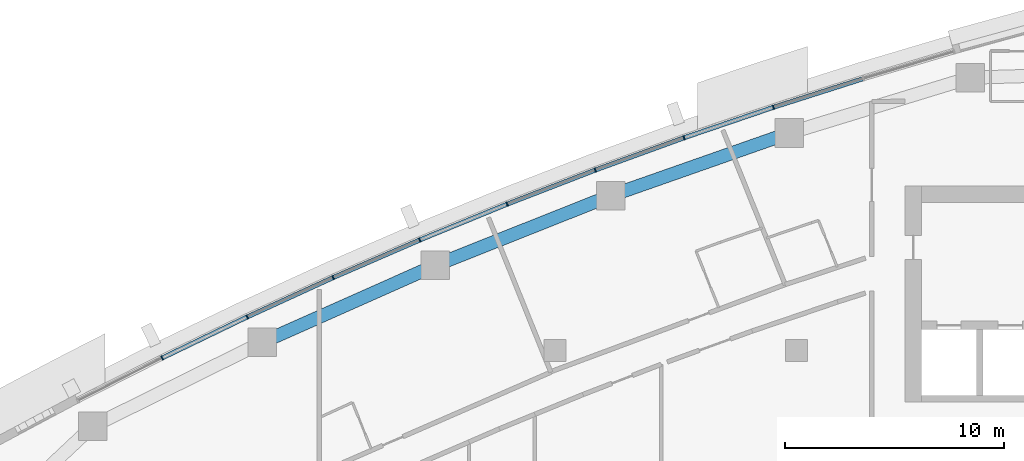
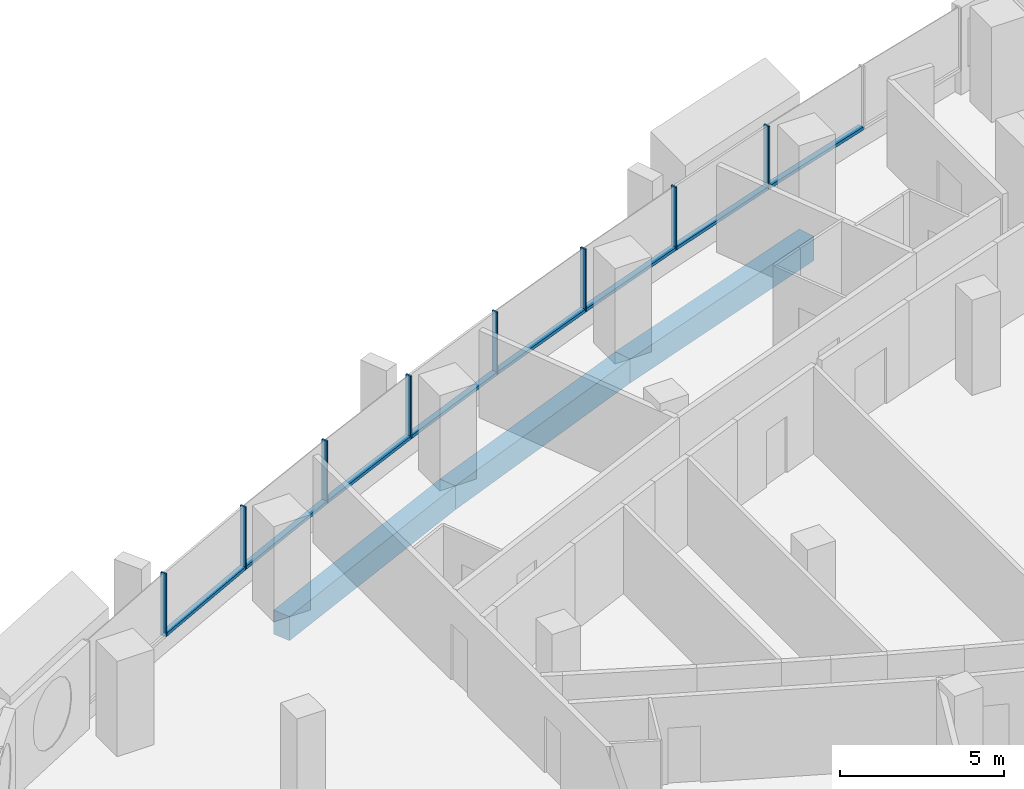
# One storey, part 6 of 16: 16 members, 3 beams, 5 elements without a shape of their own.
"""IFC4 building model written with IfcOpenShell, lengths in metres."""

from ifc_helpers import new_model, si_unit, direction, frame, origin, origin_2d, place, context, subcontext, project, spatial, rectangle, extrude, material, layer, layer_set, material_profile, profile_set, type_object, element, aggregate, save


model = new_model("IFC4")

# Units and contexts
model_context = context("Model", 3, precision=1e-05, world=origin(), true_north=direction((0.0, 1.0)))
body_context = subcontext(model_context, "Body", "Model", "MODEL_VIEW")
ifc_project = project(units=[si_unit("LENGTHUNIT", "METRE"), si_unit("AREAUNIT", "SQUARE_METRE"), si_unit("VOLUMEUNIT", "CUBIC_METRE"), si_unit("PLANEANGLEUNIT", "RADIAN"), si_unit("MASSUNIT", "GRAM", prefix="KILO")], contexts=[model_context])

# Site, building, storey
site_placement = place(None, origin())
site = spatial("IfcSite", under=ifc_project, at=site_placement, CompositionType="ELEMENT")
building_placement = place(site_placement, origin())
building = spatial("IfcBuilding", under=site, at=building_placement, Name="Ostrand Prow Hotel Tower", CompositionType="ELEMENT")
storey_placement = place(building_placement, frame((0.0, 0.0, 189.699951171875)))
storey = spatial("IfcBuildingStorey", under=building, at=storey_placement, Name="L47", CompositionType="ELEMENT", Elevation=189.699951171875)

# Beams
ifc_material_1 = material(Name="Concrete C60/75", Category="concrete")
ifc_material_profile_1 = material_profile(ifc_material_1, rectangle(XDim=0.60009765625, YDim=0.89990234375, at=origin_2d()), Name="RC 600x900")
ifc_profile_set_1 = profile_set([ifc_material_profile_1], Name="Concrete C60/75")
beam_type = type_object("IfcBeamType", Name="Edge beam 600x900 C60/75", PredefinedType="SPANDREL", material=ifc_profile_set_1)
for number, where, z_axis, x_axis, name in (
    (1, (44.6826171875, 18.91552734375, -0.75), (-0.943593618681, -0.33110584831, 0.0), (0.33110584831, -0.943593618681, 0.0), "Edge beam N2-N3"),
    (2, (36.547119140625, 16.060791015625, -0.75), (-0.929376173753, -0.36913402398, 0.0), (0.36913402398, -0.929376173753, 0.0), "Edge beam N3-N4"),
    (3, (28.5341796875, 12.878173828125, -0.75), (-0.91364332073, -0.406516767779, 0.0), (0.406516767779, -0.91364332073, 0.0), "Edge beam N4-N5"),
):
    element("IfcBeam", number, at=place(storey_placement, frame(where, z_axis=z_axis, x_axis=x_axis)), inside=storey, type_object=beam_type, Name=name, PredefinedType="SPANDREL", context=body_context, shape_type="SweptSolid", body=[
        extrude(rectangle(XDim=0.60009765625, YDim=0.89990234375, at=origin_2d()), origin(), (0.0, 0.0, 1.0), 8.621826171875),
    ])

# Curtain wall, member
ifc_material_2 = material(Name="Insulated glass in bronze anodised frame", Category="glass")
ifc_layer = layer(ifc_material_2, 0.199951171875)
ifc_layer_set = layer_set([ifc_layer], Name="Insulated glass in bronze anodised frame")
curtain_wall_type = type_object("IfcCurtainWallType", Name="Strip curtain wall, fritted glass over bronze spandrel", PredefinedType="NOTDEFINED", material=ifc_layer_set)
curtain_wall_1_placement = place(storey_placement, origin())
curtain_wall_1 = element("IfcCurtainWall", 4, at=curtain_wall_1_placement, inside=storey, type_object=curtain_wall_type, Name="CW1 run CWN1", PredefinedType="NOTDEFINED")
ifc_material_3 = material(Name="Bronze anodised aluminium", Category="aluminium")
ifc_material_profile_2 = material_profile(ifc_material_3, rectangle(XDim=0.199951171875, YDim=0.06005859375, at=origin_2d()), Name="Mullion 60x200 bronze anodised aluminium")
ifc_profile_set_2 = profile_set([ifc_material_profile_2], Name="Bronze anodised aluminium")
member_type_1 = type_object("IfcMemberType", Name="Mullion 60x200 bronze anodised aluminium", PredefinedType="MULLION", material=ifc_profile_set_2)
member_1_placement = place(storey_placement, frame((43.95361328125, 20.086669921875, 0.900146484375), z_axis=(0.0, 0.0, 1.0), x_axis=(0.303786970008, -0.952739983864, 0.0)))
member_1 = element("IfcMember", 5, at=member_1_placement, type_object=member_type_1, Name="CW1 mullion 3", PredefinedType="MULLION", context=body_context, shape_type="SweptSolid", body=[
    extrude(rectangle(XDim=0.199951171875, YDim=0.06005859375, at=origin_2d()), origin(), (0.0, 0.0, 1.0), 2.349853515625),
])

# Curtain wall, members
curtain_wall_2_placement = place(storey_placement, origin())
curtain_wall_2 = element("IfcCurtainWall", 6, at=curtain_wall_2_placement, inside=storey, type_object=curtain_wall_type, Name="CW1 run CWN2", PredefinedType="NOTDEFINED")
member_2_placement = place(storey_placement, frame((39.87939453125, 18.696533203125, 0.900146484375), z_axis=(0.0, 0.0, 1.0), x_axis=(0.341897134919, -0.939737383067, 0.0)))
member_2 = element("IfcMember", 7, at=member_2_placement, type_object=member_type_1, Name="CW1 mullion 2", PredefinedType="MULLION", context=body_context, shape_type="SweptSolid", body=[
    extrude(rectangle(XDim=0.199951171875, YDim=0.06005859375, at=origin_2d()), origin(), (0.0, 0.0, 1.0), 2.349853515625),
])
member_3_placement = place(storey_placement, frame((35.833740234375, 17.224609375, 0.900146484375), z_axis=(0.0, 0.0, 1.0), x_axis=(0.341897134919, -0.939737383067, 0.0)))
member_3 = element("IfcMember", 8, at=member_3_placement, type_object=member_type_1, Name="CW1 mullion 3", PredefinedType="MULLION", context=body_context, shape_type="SweptSolid", body=[
    extrude(rectangle(XDim=0.199951171875, YDim=0.06005859375, at=origin_2d()), origin(), (0.0, 0.0, 1.0), 2.349853515625),
])

curtain_wall_3_placement = place(storey_placement, origin())
curtain_wall_3 = element("IfcCurtainWall", 9, at=curtain_wall_3_placement, inside=storey, type_object=curtain_wall_type, Name="CW1 run CWN3", PredefinedType="NOTDEFINED")
member_4_placement = place(storey_placement, frame((31.818603515625, 15.671630859375, 0.900146484375), z_axis=(0.0, 0.0, 1.0), x_axis=(0.379452929936, -0.925211042932, 0.0)))
member_4 = element("IfcMember", 10, at=member_4_placement, type_object=member_type_1, Name="CW1 mullion 2", PredefinedType="MULLION", context=body_context, shape_type="SweptSolid", body=[
    extrude(rectangle(XDim=0.199951171875, YDim=0.06005859375, at=origin_2d()), origin(), (0.0, 0.0, 1.0), 2.349853515625),
])
member_5_placement = place(storey_placement, frame((27.83544921875, 14.0380859375, 0.900146484375), z_axis=(0.0, 0.0, 1.0), x_axis=(0.379452929936, -0.925211042932, 0.0)))
member_5 = element("IfcMember", 11, at=member_5_placement, type_object=member_type_1, Name="CW1 mullion 3", PredefinedType="MULLION", context=body_context, shape_type="SweptSolid", body=[
    extrude(rectangle(XDim=0.199951171875, YDim=0.06005859375, at=origin_2d()), origin(), (0.0, 0.0, 1.0), 2.349853515625),
])

curtain_wall_4_placement = place(storey_placement, origin())
curtain_wall_4 = element("IfcCurtainWall", 12, at=curtain_wall_4_placement, inside=storey, type_object=curtain_wall_type, Name="CW1 run CWN4", PredefinedType="NOTDEFINED")
member_6_placement = place(storey_placement, frame((23.885986328125, 12.32470703125, 0.900146484375), z_axis=(0.0, 0.0, 1.0), x_axis=(0.416393460127, -0.909184517226, 0.0)))
member_6 = element("IfcMember", 13, at=member_6_placement, type_object=member_type_1, Name="CW1 mullion 2", PredefinedType="MULLION", context=body_context, shape_type="SweptSolid", body=[
    extrude(rectangle(XDim=0.199951171875, YDim=0.06005859375, at=origin_2d()), origin(), (0.0, 0.0, 1.0), 2.349853515625),
])
member_7_placement = place(storey_placement, frame((19.971923828125, 10.531982421875, 0.900146484375), z_axis=(0.0, 0.0, 1.0), x_axis=(0.416393460127, -0.909184517226, 0.0)))
member_7 = element("IfcMember", 14, at=member_7_placement, type_object=member_type_1, Name="CW1 mullion 3", PredefinedType="MULLION", context=body_context, shape_type="SweptSolid", body=[
    extrude(rectangle(XDim=0.199951171875, YDim=0.06005859375, at=origin_2d()), origin(), (0.0, 0.0, 1.0), 2.349853515625),
])

# Curtain wall, member
curtain_wall_5_placement = place(storey_placement, origin())
curtain_wall_5 = element("IfcCurtainWall", 15, at=curtain_wall_5_placement, inside=storey, type_object=curtain_wall_type, Name="CW1 run CWN5", PredefinedType="NOTDEFINED")
member_8_placement = place(storey_placement, frame((16.0947265625, 8.660888671875, 0.900146484375), z_axis=(0.0, 0.0, 1.0), x_axis=(0.452658828186, -0.891683792196, 0.0)))
member_8 = element("IfcMember", 16, at=member_8_placement, type_object=member_type_1, Name="CW1 mullion 2", PredefinedType="MULLION", context=body_context, shape_type="SweptSolid", body=[
    extrude(rectangle(XDim=0.199951171875, YDim=0.06005859375, at=origin_2d()), origin(), (0.0, 0.0, 1.0), 2.349853515625),
])

# Member
ifc_material_4 = material(Name="Bronze anodised aluminium", Category="aluminium")
ifc_material_profile_3 = material_profile(ifc_material_4, rectangle(XDim=0.199951171875, YDim=0.1201171875, at=origin_2d()), Name="Transom 120x200 bronze anodised aluminium")
ifc_profile_set_3 = profile_set([ifc_material_profile_3], Name="Bronze anodised aluminium")
member_type_2 = type_object("IfcMemberType", Name="Transom 120x200 bronze anodised aluminium", PredefinedType="USERDEFINED", material=ifc_profile_set_3)
member_9_placement = place(storey_placement, frame((48.026611328125, 21.385498046875, 0.9599609375), z_axis=(-0.952737512605, -0.303794720289, 0.0), x_axis=(0.303794720289, -0.952737512605, 0.0)))
member_9 = element("IfcMember", 17, at=member_9_placement, type_object=member_type_2, Name="CW1 transom 2.1", ObjectType="TRANSOM", PredefinedType="USERDEFINED", context=body_context, shape_type="SweptSolid", body=[
    extrude(rectangle(XDim=0.199951171875, YDim=0.1201171875, at=origin_2d()), origin(), (0.0, 0.0, 1.0), 4.244873046875),
])

aggregate(curtain_wall_1, [member_1, member_9])

member_10_placement = place(storey_placement, frame((43.92529296875, 20.0771484375, 0.9599609375), z_axis=(-0.946422327772, -0.322931536852, 0.0), x_axis=(0.322931536852, -0.946422327772, 0.0)))
member_10 = element("IfcMember", 18, at=member_10_placement, type_object=member_type_2, Name="CW1 transom 1.1", ObjectType="TRANSOM", PredefinedType="USERDEFINED", context=body_context, shape_type="SweptSolid", body=[
    extrude(rectangle(XDim=0.199951171875, YDim=0.1201171875, at=origin_2d()), origin(), (0.0, 0.0, 1.0), 4.2451171875),
])

member_11_placement = place(storey_placement, frame((39.85107421875, 18.686279296875, 0.9599609375), z_axis=(-0.939753116272, -0.341853887584, 0.0), x_axis=(0.341853887584, -0.939753116272, 0.0)))
member_11 = element("IfcMember", 19, at=member_11_placement, type_object=member_type_2, Name="CW1 transom 2.1", ObjectType="TRANSOM", PredefinedType="USERDEFINED", context=body_context, shape_type="SweptSolid", body=[
    extrude(rectangle(XDim=0.199951171875, YDim=0.1201171875, at=origin_2d()), origin(), (0.0, 0.0, 1.0), 4.2451171875),
])

aggregate(curtain_wall_2, [member_2, member_3, member_10, member_11])

member_12_placement = place(storey_placement, frame((35.8056640625, 17.2138671875, 0.9599609375), z_axis=(-0.932675482501, -0.360716570651, 0.0), x_axis=(0.360716570651, -0.932675482501, 0.0)))
member_12 = element("IfcMember", 20, at=member_12_placement, type_object=member_type_2, Name="CW1 transom 1.1", ObjectType="TRANSOM", PredefinedType="USERDEFINED", context=body_context, shape_type="SweptSolid", body=[
    extrude(rectangle(XDim=0.199951171875, YDim=0.1201171875, at=origin_2d()), origin(), (0.0, 0.0, 1.0), 4.2451171875),
])

member_13_placement = place(storey_placement, frame((31.790771484375, 15.660400390625, 0.9599609375), z_axis=(-0.925213143858, -0.379447807258, 0.0), x_axis=(0.379447807258, -0.925213143858, 0.0)))
member_13 = element("IfcMember", 21, at=member_13_placement, type_object=member_type_2, Name="CW1 transom 2.1", ObjectType="TRANSOM", PredefinedType="USERDEFINED", context=body_context, shape_type="SweptSolid", body=[
    extrude(rectangle(XDim=0.199951171875, YDim=0.1201171875, at=origin_2d()), origin(), (0.0, 0.0, 1.0), 4.2451171875),
])

aggregate(curtain_wall_3, [member_4, member_5, member_12, member_13])

member_14_placement = place(storey_placement, frame((27.807861328125, 14.026123046875, 0.9599609375), z_axis=(-0.917389785482, -0.397989926371, 0.0), x_axis=(0.397989926371, -0.917389785482, 0.0)))
member_14 = element("IfcMember", 22, at=member_14_placement, type_object=member_type_2, Name="CW1 transom 1.1", ObjectType="TRANSOM", PredefinedType="USERDEFINED", context=body_context, shape_type="SweptSolid", body=[
    extrude(rectangle(XDim=0.199951171875, YDim=0.1201171875, at=origin_2d()), origin(), (0.0, 0.0, 1.0), 4.244873046875),
])

member_15_placement = place(storey_placement, frame((23.858642578125, 12.312255859375, 0.9599609375), z_axis=(-0.909159196143, -0.416448743628, 0.0), x_axis=(0.416448743628, -0.909159196143, 0.0)))
member_15 = element("IfcMember", 23, at=member_15_placement, type_object=member_type_2, Name="CW1 transom 2.1", ObjectType="TRANSOM", PredefinedType="USERDEFINED", context=body_context, shape_type="SweptSolid", body=[
    extrude(rectangle(XDim=0.199951171875, YDim=0.1201171875, at=origin_2d()), origin(), (0.0, 0.0, 1.0), 4.244873046875),
])

aggregate(curtain_wall_4, [member_6, member_7, member_14, member_15])

member_16_placement = place(storey_placement, frame((19.94482421875, 10.51904296875, 0.9599609375), z_axis=(-0.900619174345, -0.434609137965, 0.0), x_axis=(0.434609137965, -0.900619174345, 0.0)))
member_16 = element("IfcMember", 24, at=member_16_placement, type_object=member_type_2, Name="CW1 transom 1.1", ObjectType="TRANSOM", PredefinedType="USERDEFINED", context=body_context, shape_type="SweptSolid", body=[
    extrude(rectangle(XDim=0.199951171875, YDim=0.1201171875, at=origin_2d()), origin(), (0.0, 0.0, 1.0), 4.2451171875),
])

aggregate(curtain_wall_5, [member_8, member_16])

save(model, "model.ifc")
